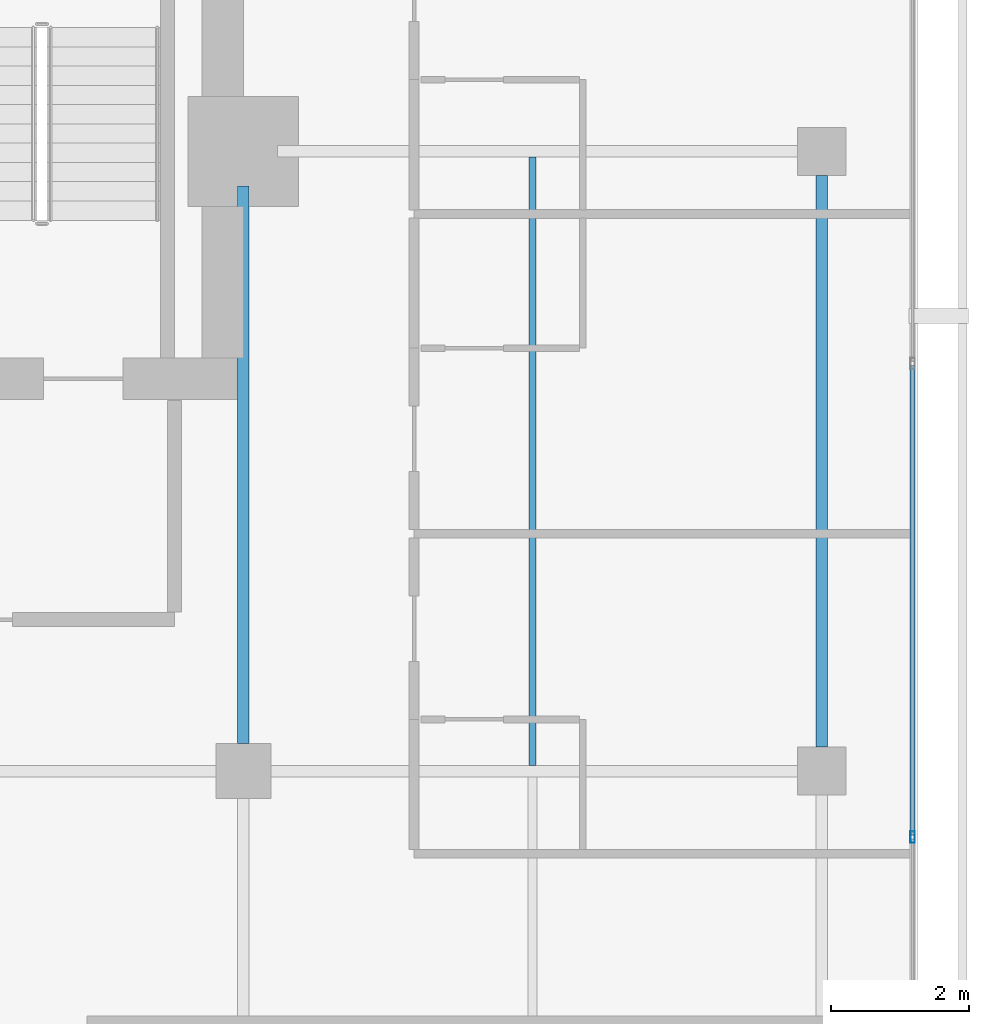
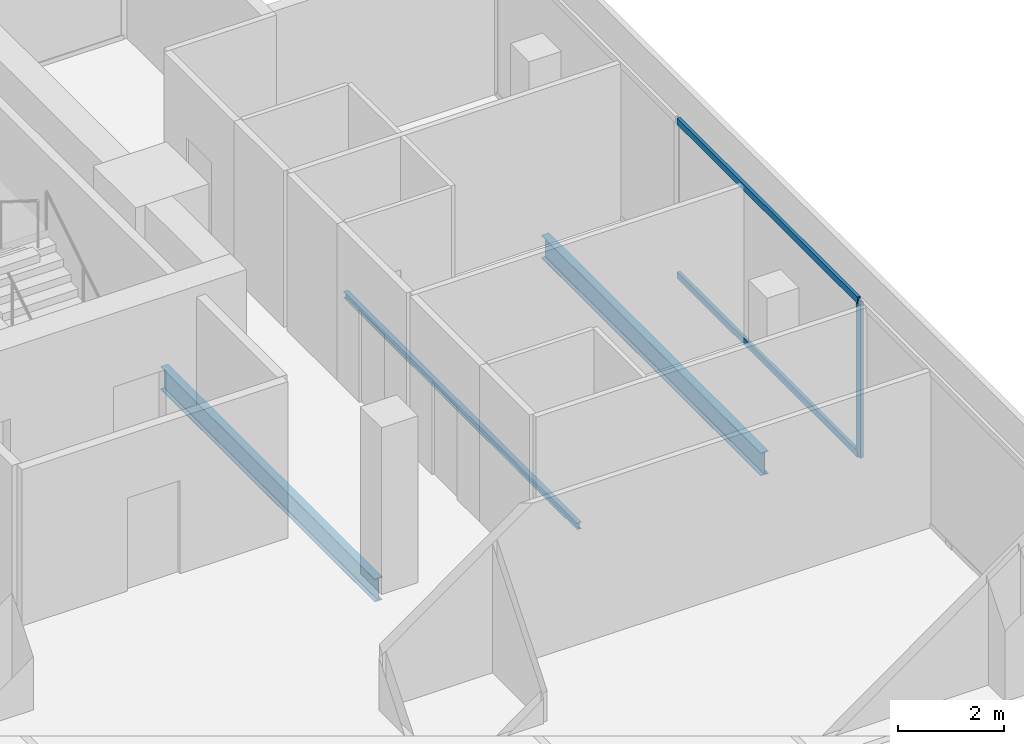
# One storey, part 15 of 26: 3 beams, 3 members, 1 element without a shape of its own.
"""IFC4 building model written with IfcOpenShell, lengths in metres."""

from ifc_helpers import new_model, si_unit, direction, frame, origin, origin_2d, place, context, subcontext, project, spatial, hollow_rectangle, i_section, extrude, material, layer, layer_set, material_profile, profile_set, type_object, element, aggregate, save


model = new_model("IFC4")

# Units and contexts
model_context = context("Model", 3, precision=1e-05, world=origin(), true_north=direction((0.0, 1.0)))
body_context = subcontext(model_context, "Body", "Model", "MODEL_VIEW")
ifc_project = project(units=[si_unit("LENGTHUNIT", "METRE"), si_unit("AREAUNIT", "SQUARE_METRE"), si_unit("VOLUMEUNIT", "CUBIC_METRE"), si_unit("PLANEANGLEUNIT", "RADIAN"), si_unit("MASSUNIT", "GRAM", prefix="KILO")], contexts=[model_context])

# Site, building, storey
site_placement = place(None, origin())
site = spatial("IfcSite", under=ifc_project, at=site_placement, CompositionType="ELEMENT")
building_placement = place(site_placement, origin())
building = spatial("IfcBuilding", under=site, at=building_placement, Name="Maruvema Waterfront Hotel and Observation Tower", CompositionType="ELEMENT")
storey_placement = place(building_placement, frame((0.0, 0.0, 285.60009765625)))
storey = spatial("IfcBuildingStorey", under=building, at=storey_placement, Name="L70", CompositionType="ELEMENT", Elevation=285.60009765625)

# Curtain wall, members
ifc_material_1 = material(Name="Anodised bronze aluminium and solar-control low-E IGU", Category="aluminium")
ifc_layer = layer(ifc_material_1, 0.159912109375, Name="Zone 3 Champagne Inner Thermal Curtain Wall System CW-04")
ifc_layer_set = layer_set([ifc_layer], Name="Anodised bronze aluminium and solar-control low-E IGU")
curtain_wall_type = type_object("IfcCurtainWallType", Name="Zone 3 Champagne Inner Thermal Curtain Wall System CW-04", PredefinedType="USERDEFINED", material=ifc_layer_set)
curtain_wall_placement = place(storey_placement, origin())
curtain_wall = element("IfcCurtainWall", 1, at=curtain_wall_placement, inside=storey, type_object=curtain_wall_type, Name="L70 Curtain Wall CW-L70-E", ObjectType="UNITISED CURTAIN WALL", PredefinedType="USERDEFINED")
ifc_material_2 = material(Name="Anodised architectural bronze aluminium", Category="aluminium")
ifc_material_profile_1 = material_profile(ifc_material_2, hollow_rectangle(XDim=0.070068359375, YDim=0.14990234375, WallThickness=0.00390625, at=origin_2d()), Name="ALU-T70x150")
ifc_profile_set_1 = profile_set([ifc_material_profile_1], Name="Anodised architectural bronze aluminium")
member_type_1 = type_object("IfcMemberType", Name="Curtain Wall Horizontal Transom ALU-T70x150", PredefinedType="USERDEFINED", material=ifc_profile_set_1)
member_1_placement = place(storey_placement, frame((60.1201171875, 35.070068359375, 0.02978515625), z_axis=(0.0, 1.0, 0.0), x_axis=(-1.0, 0.0, 0.0)))
member_1 = element("IfcMember", 2, at=member_1_placement, type_object=member_type_1, Name="CW-04 transom 4.1", ObjectType="TRANSOM", PredefinedType="USERDEFINED", context=body_context, shape_type="SweptSolid", body=[
    extrude(hollow_rectangle(XDim=0.070068359375, YDim=0.14990234375, WallThickness=0.00390625, at=origin_2d()), origin(), (0.0, 0.0, 1.0), 6.81982421875),
])
member_2_placement = place(storey_placement, frame((60.1201171875, 35.070068359375, 3.579833984375), z_axis=(0.0, 1.0, 0.0), x_axis=(-1.0, 0.0, 0.0)))
member_2 = element("IfcMember", 3, at=member_2_placement, type_object=member_type_1, Name="CW-04 transom 4.2", ObjectType="TRANSOM", PredefinedType="USERDEFINED", context=body_context, shape_type="SweptSolid", body=[
    extrude(hollow_rectangle(XDim=0.070068359375, YDim=0.14990234375, WallThickness=0.00390625, at=origin_2d()), origin(), (0.0, 0.0, 1.0), 6.81982421875),
])
ifc_material_3 = material(Name="Anodised architectural bronze aluminium", Category="aluminium")
ifc_material_profile_2 = material_profile(ifc_material_3, hollow_rectangle(XDim=0.06494140625, YDim=0.1650390625, WallThickness=0.00390625, at=origin_2d()), Name="ALU-M65x165")
ifc_profile_set_2 = profile_set([ifc_material_profile_2], Name="Anodised architectural bronze aluminium")
member_type_2 = type_object("IfcMemberType", Name="Curtain Wall Primary Mullion ALU-M65x165", PredefinedType="MULLION", material=ifc_profile_set_2)
member_3_placement = place(storey_placement, frame((60.1201171875, 35.0400390625, 0.0), z_axis=(0.0, 0.0, 1.0), x_axis=(-1.0, 0.0, 0.0)))
member_3 = element("IfcMember", 4, at=member_3_placement, type_object=member_type_2, Name="CW-04 mullion 4", PredefinedType="MULLION", context=body_context, shape_type="SweptSolid", body=[
    extrude(hollow_rectangle(XDim=0.06494140625, YDim=0.1650390625, WallThickness=0.00390625, at=origin_2d()), origin(), (0.0, 0.0, 1.0), 3.60986328125),
])
aggregate(curtain_wall, [member_3, member_1, member_2])

# Beams
ifc_material_4 = material(Name="Steel ASTM A572 Grade 50", Category="steel")
ifc_material_profile_3 = material_profile(ifc_material_4, i_section(OverallWidth=0.166015625, OverallDepth=0.529052734375, WebThickness=0.009765625, FlangeThickness=0.013671875, FilletRadius=0.014892578125, at=origin_2d()), Name="W530x74.0")
ifc_profile_set_3 = profile_set([ifc_material_profile_3], Name="Steel ASTM A572 Grade 50")
beam_type_1 = type_object("IfcBeamType", Name="Primary Floor Girder W530x74.0", PredefinedType="BEAM", material=ifc_profile_set_3)
beam_1_placement = place(storey_placement, frame((50.39990234375, 36.39990234375, -0.504638671875), z_axis=(0.0, 1.0, 0.0), x_axis=(-1.0, 0.0, 0.0)))
element("IfcBeam", 5, at=beam_1_placement, inside=storey, type_object=beam_type_1, Name="L70 Floor Girder NS-15", PredefinedType="BEAM", context=body_context, shape_type="SweptSolid", body=[
    extrude(i_section(OverallWidth=0.166015625, OverallDepth=0.529052734375, WebThickness=0.009765625, FlangeThickness=0.013671875, FilletRadius=0.014892578125, at=origin_2d()), origin(), (0.0, 0.0, 1.0), 8.10009765625),
])
beam_2_placement = place(storey_placement, frame((58.800048828125, 36.35009765625, -0.504638671875), z_axis=(0.0, 1.0, 0.0), x_axis=(-1.0, 0.0, 0.0)))
element("IfcBeam", 6, at=beam_2_placement, inside=storey, type_object=beam_type_1, Name="L70 Floor Girder NS-18", PredefinedType="BEAM", context=body_context, shape_type="SweptSolid", body=[
    extrude(i_section(OverallWidth=0.166015625, OverallDepth=0.529052734375, WebThickness=0.009765625, FlangeThickness=0.013671875, FilletRadius=0.014892578125, at=origin_2d()), origin(), (0.0, 0.0, 1.0), 8.2998046875),
])
ifc_material_5 = material(Name="Steel ASTM A572 Grade 50", Category="steel")
ifc_material_profile_4 = material_profile(ifc_material_5, i_section(OverallWidth=0.10009765625, OverallDepth=0.153076171875, WebThickness=0.005859375, FlangeThickness=0.007080078125, FilletRadius=0.008056640625, at=origin_2d()), Name="W150x18.0")
ifc_profile_set_4 = profile_set([ifc_material_profile_4], Name="Steel ASTM A572 Grade 50")
beam_type_2 = type_object("IfcBeamType", Name="Secondary Floor Joist W150x18.0", PredefinedType="JOIST", material=ifc_profile_set_4)
beam_3_placement = place(storey_placement, frame((54.60009765625, 36.0830078125, -0.316650390625), z_axis=(0.0, 1.0, 0.0), x_axis=(-1.0, 0.0, 0.0)))
element("IfcBeam", 7, at=beam_3_placement, inside=storey, type_object=beam_type_2, Name="L70 Secondary Floor Joist JS-09", PredefinedType="JOIST", context=body_context, shape_type="SweptSolid", body=[
    extrude(i_section(OverallWidth=0.10009765625, OverallDepth=0.153076171875, WebThickness=0.005859375, FlangeThickness=0.007080078125, FilletRadius=0.008056640625, at=origin_2d()), origin(), (0.0, 0.0, 1.0), 8.833984375),
])

save(model, "model.ifc")
